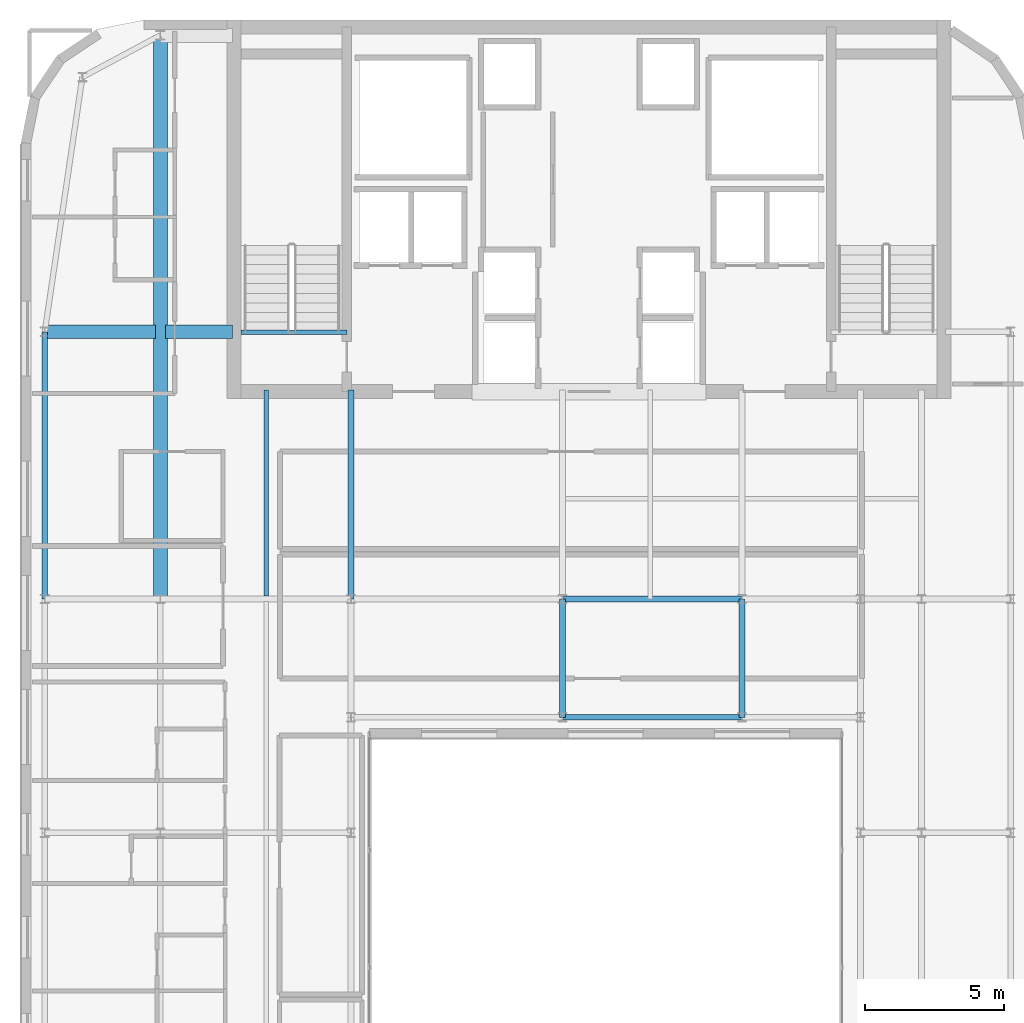
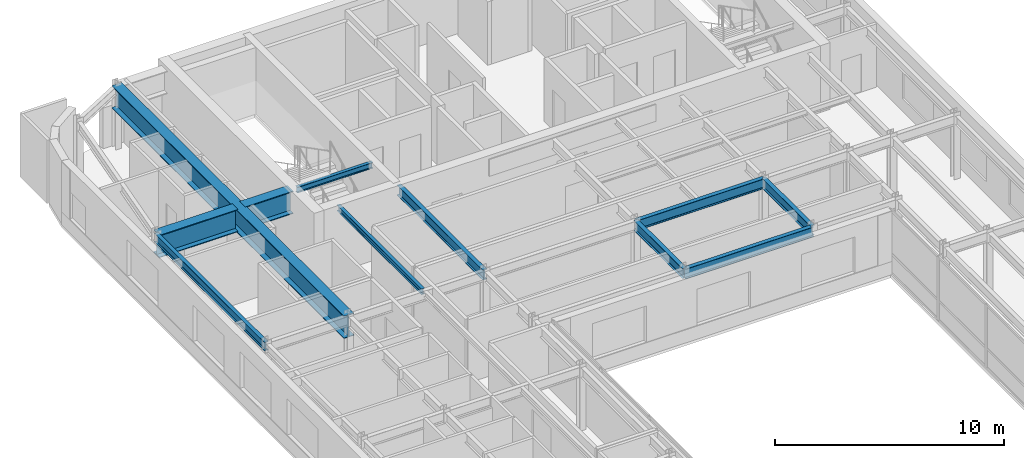
# One storey, part 10 of 21: 11 beams.
"""IFC4 building model written with IfcOpenShell, lengths in metres."""

from ifc_helpers import new_model, si_unit, direction, frame, origin, origin_2d, place, context, subcontext, project, spatial, i_section, extrude, source, transform, mapped, material, material_profile, profile_set, type_object, type_shapes, element, save


model = new_model("IFC4")

# Units and contexts
model_context = context("Model", 3, precision=1e-05, world=origin(), true_north=direction((0.0, 1.0)))
body_context = subcontext(model_context, "Body", "Model", "MODEL_VIEW")
ifc_project = project(units=[si_unit("LENGTHUNIT", "METRE"), si_unit("AREAUNIT", "SQUARE_METRE"), si_unit("VOLUMEUNIT", "CUBIC_METRE"), si_unit("PLANEANGLEUNIT", "RADIAN"), si_unit("MASSUNIT", "GRAM", prefix="KILO")], contexts=[model_context])

# Site, building, storey
site_placement = place(None, origin())
site = spatial("IfcSite", under=ifc_project, at=site_placement, CompositionType="ELEMENT")
building_placement = place(site_placement, origin())
building = spatial("IfcBuilding", under=site, at=building_placement, Name="Tolvann Quenvar Hotel", CompositionType="ELEMENT")
storey_placement = place(building_placement, frame((0.0, 0.0, 262.949951171875)))
storey = spatial("IfcBuildingStorey", under=building, at=storey_placement, Name="L70", CompositionType="ELEMENT", Elevation=262.949951171875)

# Beams
ifc_material = material(Name="Steel Grade 350", Category="steel")
ifc_material_profile_1 = material_profile(ifc_material, i_section(OverallWidth=0.5, OverallDepth=1.199951171875, WebThickness=0.01611328125, FlangeThickness=0.0400390625, at=origin_2d()), Name="1200WB455")
ifc_profile_set_1 = profile_set([ifc_material_profile_1], Name="Steel Grade 350")
beam_type_1 = type_object("IfcBeamType", Name="BM_TG_1200WB455", PredefinedType="USERDEFINED", material=ifc_profile_set_1)
shared_shape_1 = source(origin(), body_context, "Body", "SweptSolid", [
    extrude(i_section(OverallWidth=0.5, OverallDepth=1.199951171875, WebThickness=0.01611328125, FlangeThickness=0.0400390625, at=origin_2d()), origin(), (0.0, 0.0, 1.0), 2.419921875),
])
beam_1_placement = place(storey_placement, frame((7.780029296875, 34.0, 2.77001953125), z_axis=(1.0, 0.0, 0.0), x_axis=(0.0, 1.0, 0.0)))
element("IfcBeam", 1, at=beam_1_placement, inside=storey, type_object=beam_type_1, Name="BM-L70-CTW-MID2", ObjectType="TRANSFER GIRDER", PredefinedType="USERDEFINED", context=body_context, shape_type="MappedRepresentation", body=[
    mapped(shared_shape_1, transform((0.0, 0.0, 0.0), x_axis=(1.0, 0.0, 0.0), y_axis=(0.0, 1.0, 0.0), z_axis=(0.0, 0.0, 1.0), scale=1.0)),
])
ifc_material_profile_2 = material_profile(ifc_material, i_section(OverallWidth=0.166015625, OverallDepth=0.306884765625, WebThickness=0.006591796875, FlangeThickness=0.01171875, FilletRadius=0.011474609375, at=origin_2d()), Name="310UB46")
ifc_profile_set_2 = profile_set([ifc_material_profile_2], Name="Steel Grade 350")
beam_type_2 = type_object("IfcBeamType", Name="BM_JOIST_310UB46", PredefinedType="JOIST", material=ifc_profile_set_2)
shared_shape_2 = source(origin(), body_context, "Body", "SweptSolid", [
    extrude(i_section(OverallWidth=0.166015625, OverallDepth=0.306884765625, WebThickness=0.006591796875, FlangeThickness=0.01171875, FilletRadius=0.011474609375, at=origin_2d()), origin(), (0.0, 0.0, 1.0), 3.800048828125),
])
beam_2_placement = place(storey_placement, frame((10.5, 33.97998046875, 3.216552734375), z_axis=(1.0, 0.0, 0.0), x_axis=(0.0, 1.0, 0.0)))
element("IfcBeam", 2, at=beam_2_placement, inside=storey, type_object=beam_type_2, Name="BM-HDR-STC1-L71", PredefinedType="JOIST", context=body_context, shape_type="MappedRepresentation", body=[
    mapped(shared_shape_2, transform((0.0, 0.0, 0.0), x_axis=(1.0, 0.0, 0.0), y_axis=(0.0, 1.0, 0.0), z_axis=(0.0, 0.0, 1.0), scale=1.0)),
])
shared_shape_3 = source(origin(), body_context, "Body", "SweptSolid", [
    extrude(i_section(OverallWidth=0.5, OverallDepth=1.199951171875, WebThickness=0.01611328125, FlangeThickness=0.0400390625, at=origin_2d()), origin(), (0.0, 0.0, 1.0), 3.969970703125),
])
beam_3_placement = place(storey_placement, frame((3.449951171875, 34.0, 2.77001953125), z_axis=(1.0, 0.0, 0.0), x_axis=(0.0, 1.0, 0.0)))
element("IfcBeam", 3, at=beam_3_placement, inside=storey, type_object=beam_type_1, Name="BM-L70-CTW-MID1", ObjectType="TRANSFER GIRDER", PredefinedType="USERDEFINED", context=body_context, shape_type="MappedRepresentation", body=[
    mapped(shared_shape_3, transform((0.0, 0.0, 0.0), x_axis=(1.0, 0.0, 0.0), y_axis=(0.0, 1.0, 0.0), z_axis=(0.0, 0.0, 1.0), scale=1.0)),
])
ifc_material_profile_3 = material_profile(ifc_material, i_section(OverallWidth=0.19091796875, OverallDepth=0.4599609375, WebThickness=0.010009765625, FlangeThickness=0.01611328125, FilletRadius=0.011474609375, at=origin_2d()), Name="460UB82")
ifc_profile_set_3 = profile_set([ifc_material_profile_3], Name="Steel Grade 350")
beam_type_3 = type_object("IfcBeamType", Name="BM_SPAND_460UB82", PredefinedType="SPANDREL", material=ifc_profile_set_3)
shared_shape_4 = source(origin(), body_context, "Body", "SweptSolid", [
    extrude(i_section(OverallWidth=0.19091796875, OverallDepth=0.4599609375, WebThickness=0.010009765625, FlangeThickness=0.01611328125, FilletRadius=0.011474609375, at=origin_2d()), origin(), (0.0, 0.0, 1.0), 9.60009765625),
])
type_shapes(beam_type_3, [shared_shape_4])
beam_4_placement = place(storey_placement, frame((3.449951171875, 24.39990234375, 3.14013671875), z_axis=(0.0, 1.0, 0.0), x_axis=(-1.0, 0.0, 0.0)))
element("IfcBeam", 4, at=beam_4_placement, inside=storey, type_object=beam_type_3, Name="BM-L70-FLK-W1", PredefinedType="SPANDREL", context=body_context, shape_type="MappedRepresentation", body=[
    mapped(shared_shape_4, transform((0.0, 0.0, 0.0), x_axis=(1.0, 0.0, 0.0), y_axis=(0.0, 1.0, 0.0), z_axis=(0.0, 0.0, 1.0), scale=1.0)),
])
shared_shape_5 = source(origin(), body_context, "Body", "SweptSolid", [
    extrude(i_section(OverallWidth=0.5, OverallDepth=1.199951171875, WebThickness=0.01611328125, FlangeThickness=0.0400390625, at=origin_2d()), origin(), (0.0, 0.0, 1.0), 20.25),
])
type_shapes(beam_type_1, [shared_shape_1, shared_shape_3, shared_shape_5])
beam_5_placement = place(storey_placement, frame((7.60009765625, 24.39990234375, 2.77001953125), z_axis=(0.0, 1.0, 0.0), x_axis=(-1.0, 0.0, 0.0)))
element("IfcBeam", 5, at=beam_5_placement, inside=storey, type_object=beam_type_1, Name="BM-L70-FLK-WC", ObjectType="TRANSFER GIRDER", PredefinedType="USERDEFINED", context=body_context, shape_type="MappedRepresentation", body=[
    mapped(shared_shape_5, transform((0.0, 0.0, 0.0), x_axis=(1.0, 0.0, 0.0), y_axis=(0.0, 1.0, 0.0), z_axis=(0.0, 0.0, 1.0), scale=1.0)),
])
ifc_material_profile_4 = material_profile(ifc_material, i_section(OverallWidth=0.208984375, OverallDepth=0.532958984375, WebThickness=0.01025390625, FlangeThickness=0.015625, FilletRadius=0.013916015625, at=origin_2d()), Name="530UB92")
ifc_profile_set_4 = profile_set([ifc_material_profile_4], Name="Steel Grade 350")
beam_type_4 = type_object("IfcBeamType", Name="BM_GIRD_530UB92", PredefinedType="BEAM", material=ifc_profile_set_4)
shared_shape_6 = source(origin(), body_context, "Body", "SweptSolid", [
    extrude(i_section(OverallWidth=0.208984375, OverallDepth=0.532958984375, WebThickness=0.01025390625, FlangeThickness=0.015625, FilletRadius=0.013916015625, at=origin_2d()), origin(), (0.0, 0.0, 1.0), 6.449951171875),
])
for number, where, z_axis, x_axis, name in (
    (6, (22.050048828125, 20.14990234375, 3.103515625), (1.0, 0.0, 0.0), (0.0, 1.0, 0.0), "BM-L70-EW-4P-E4P-M4P"),
    (7, (22.050048828125, 24.39990234375, 3.103515625), (1.0, 0.0, 0.0), (0.0, 1.0, 0.0), "BM-L70-EW-5-E5-M5"),
):
    element("IfcBeam", number, at=place(storey_placement, frame(where, z_axis=z_axis, x_axis=x_axis)), inside=storey, type_object=beam_type_4, Name=name, PredefinedType="BEAM", context=body_context, shape_type="MappedRepresentation", body=[
        mapped(shared_shape_6, transform((0.0, 0.0, 0.0), x_axis=(1.0, 0.0, 0.0), y_axis=(0.0, 1.0, 0.0), z_axis=(0.0, 0.0, 1.0), scale=1.0)),
    ])
shared_shape_7 = source(origin(), body_context, "Body", "SweptSolid", [
    extrude(i_section(OverallWidth=0.208984375, OverallDepth=0.532958984375, WebThickness=0.01025390625, FlangeThickness=0.015625, FilletRadius=0.013916015625, at=origin_2d()), origin(), (0.0, 0.0, 1.0), 4.25),
])
for number, where, z_axis, x_axis, name in (
    (8, (22.050048828125, 20.14990234375, 3.103515625), (0.0, 1.0, 0.0), (-1.0, 0.0, 0.0), "BM-L70-NS-E4P-E5"),
    (9, (28.5, 20.14990234375, 3.103515625), (0.0, 1.0, 0.0), (-1.0, 0.0, 0.0), "BM-L70-NS-M4P-M5"),
):
    element("IfcBeam", number, at=place(storey_placement, frame(where, z_axis=z_axis, x_axis=x_axis)), inside=storey, type_object=beam_type_4, Name=name, PredefinedType="BEAM", context=body_context, shape_type="MappedRepresentation", body=[
        mapped(shared_shape_7, transform((0.0, 0.0, 0.0), x_axis=(1.0, 0.0, 0.0), y_axis=(0.0, 1.0, 0.0), z_axis=(0.0, 0.0, 1.0), scale=1.0)),
    ])
shared_shape_8 = source(origin(), body_context, "Body", "SweptSolid", [
    extrude(i_section(OverallWidth=0.208984375, OverallDepth=0.532958984375, WebThickness=0.01025390625, FlangeThickness=0.015625, FilletRadius=0.013916015625, at=origin_2d()), origin(), (0.0, 0.0, 1.0), 7.5),
])
type_shapes(beam_type_4, [shared_shape_6, shared_shape_7, shared_shape_8])
beam_6_placement = place(storey_placement, frame((14.449951171875, 24.39990234375, 3.103515625), z_axis=(0.0, 1.0, 0.0), x_axis=(-1.0, 0.0, 0.0)))
element("IfcBeam", 10, at=beam_6_placement, inside=storey, type_object=beam_type_4, Name="BM-L70-CORE-D5", PredefinedType="BEAM", context=body_context, shape_type="MappedRepresentation", body=[
    mapped(shared_shape_8, transform((0.0, 0.0, 0.0), x_axis=(1.0, 0.0, 0.0), y_axis=(0.0, 1.0, 0.0), z_axis=(0.0, 0.0, 1.0), scale=1.0)),
])
shared_shape_9 = source(origin(), body_context, "Body", "SweptSolid", [
    extrude(i_section(OverallWidth=0.166015625, OverallDepth=0.306884765625, WebThickness=0.006591796875, FlangeThickness=0.01171875, FilletRadius=0.011474609375, at=origin_2d()), origin(), (0.0, 0.0, 1.0), 7.4013671875),
])
type_shapes(beam_type_2, [shared_shape_2, shared_shape_9])
beam_7_placement = place(storey_placement, frame((11.39990234375, 24.49853515625, 3.216552734375), z_axis=(0.0, 1.0, 0.0), x_axis=(-1.0, 0.0, 0.0)))
element("IfcBeam", 11, at=beam_7_placement, inside=storey, type_object=beam_type_2, Name="BJ-L70-114-244", PredefinedType="JOIST", context=body_context, shape_type="MappedRepresentation", body=[
    mapped(shared_shape_9, transform((0.0, 0.0, 0.0), x_axis=(1.0, 0.0, 0.0), y_axis=(0.0, 1.0, 0.0), z_axis=(0.0, 0.0, 1.0), scale=1.0)),
])

save(model, "model.ifc")
